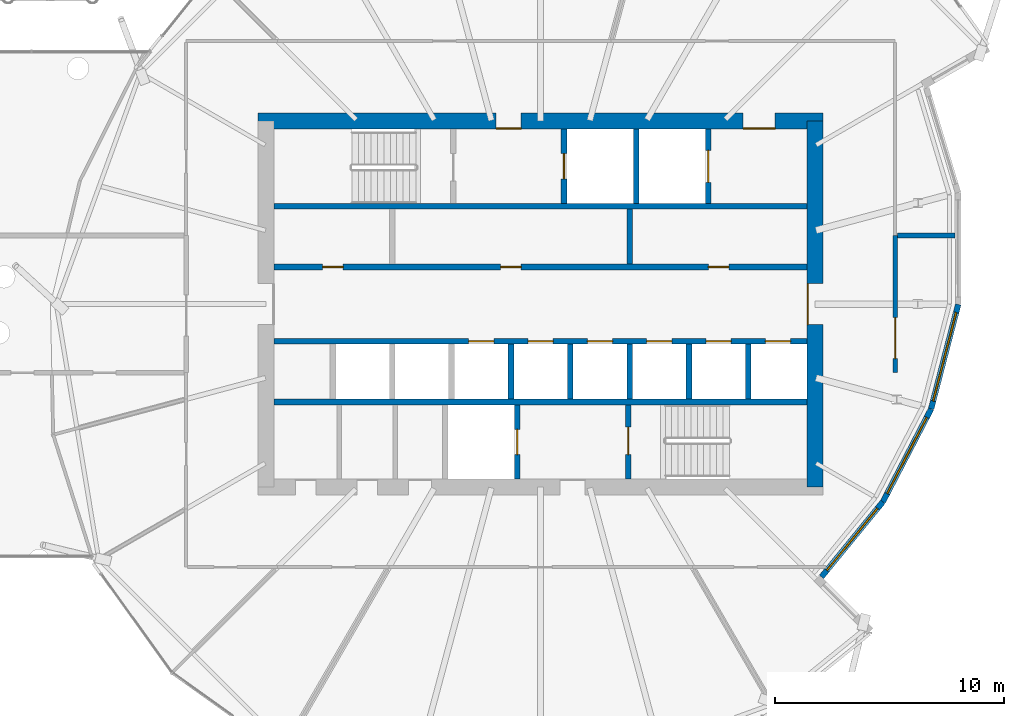
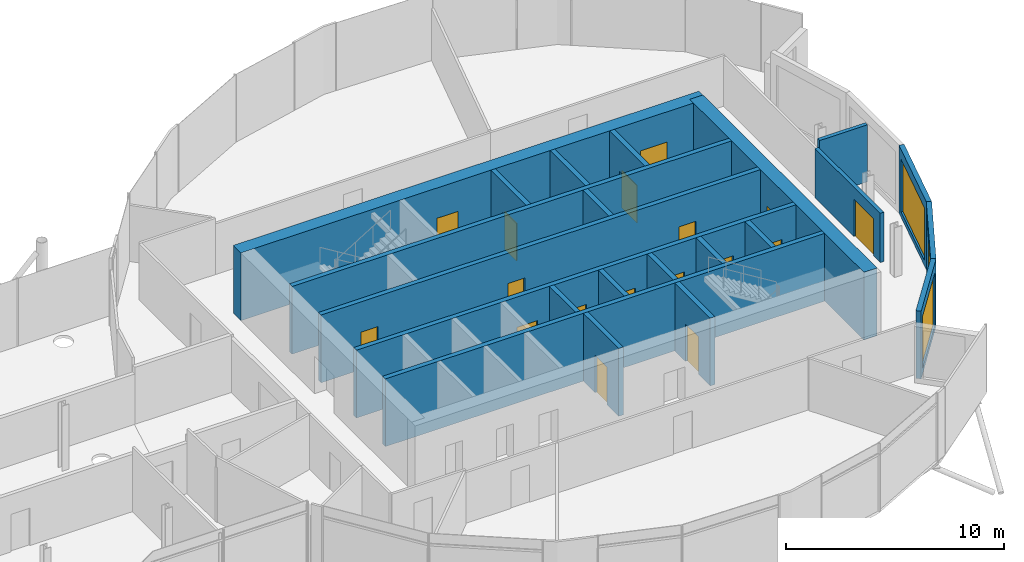
# One storey, part 28 of 39: 22 walls, 17 doors, 3 windows, 20 openings.
"""IFC4 building model written with IfcOpenShell, lengths in metres."""

from ifc_helpers import new_model, si_unit, direction, frame, frame_2d, origin, place, context, subcontext, project, spatial, rectangle, extrude, material, layer, layer_set, type_object, element, fill, save


model = new_model("IFC4")

# Units and contexts
model_context = context("Model", 3, precision=1e-05, world=origin(), true_north=direction((0.0, 1.0)))
body_context = subcontext(model_context, "Body", "Model", "MODEL_VIEW")
ifc_project = project(units=[si_unit("LENGTHUNIT", "METRE"), si_unit("AREAUNIT", "SQUARE_METRE"), si_unit("VOLUMEUNIT", "CUBIC_METRE"), si_unit("PLANEANGLEUNIT", "RADIAN"), si_unit("MASSUNIT", "GRAM", prefix="KILO")], contexts=[model_context])

# Site, building, storey
site_placement = place(None, origin())
site = spatial("IfcSite", under=ifc_project, at=site_placement, CompositionType="ELEMENT")
building_placement = place(site_placement, origin())
building = spatial("IfcBuilding", under=site, at=building_placement, Name="Rimbun Link Towers", CompositionType="ELEMENT")
storey_placement = place(building_placement, frame((0.0, 0.0, 143.0)))
storey = spatial("IfcBuildingStorey", under=building, at=storey_placement, Name="L34", CompositionType="ELEMENT", Elevation=143.0)

# Wall, opening, window
ifc_material_1 = material(Name="Dark enamelled glass spandrel on insulated aluminium backpan", Category="aluminium")
ifc_layer_1 = layer(ifc_material_1, 0.25)
ifc_layer_set_1 = layer_set([ifc_layer_1], Name="CS dark enamelled spandrel wall 250")
wall_type_1 = type_object("IfcWallType", Name="CS dark enamelled spandrel wall 250", PredefinedType="STANDARD", material=ifc_layer_set_1)
wall_1_placement = place(storey_placement, frame((46.711669921875, -8.646728515625, 0.0), z_axis=(0.0, 0.0, 1.0), x_axis=(-0.633071445917, -0.774093369281, 0.0)))
wall_1 = element("IfcWall", 1, at=wall_1_placement, inside=storey, type_object=wall_type_1, Name="Crease spandrel wall", PredefinedType="STANDARD", context=body_context, shape_type="SweptSolid", body=[
    extrude(rectangle(XDim=4.236328125, YDim=0.25, at=frame_2d((2.1181640625, 0.0))), origin(), (0.0, 0.0, 1.0), 3.800048828125),
])
opening_1_placement = place(wall_1_placement, frame((0.3681640625, 0.0, 0.300048828125)))
opening_1 = element("IfcOpeningElement", 2, at=opening_1_placement, cuts=wall_1, Name="Opening WR35H295", PredefinedType="OPENING", context=body_context, shape_type="SweptSolid", body=[
    extrude(rectangle(XDim=3.5, YDim=2.949951171875, at=frame_2d((1.75, 1.47509765625))), frame((0.0, 0.135009765625, 0.0), z_axis=(0.0, -1.0, 0.0), x_axis=(1.0, 0.0, 0.0)), (0.0, 0.0, 1.0), 0.27001953125),
])
ifc_material_2 = material(Name="Aluminium framed fixed window, dark tinted low-e glass", Category="aluminium")
window_type_1 = type_object("IfcWindowType", Name="WR ribbon window 3500X2950", PartitioningType="SINGLE_PANEL", PredefinedType="WINDOW", material=ifc_material_2)
window_1_placement = place(opening_1_placement, origin())
window_1 = element("IfcWindow", 3, at=window_1_placement, inside=storey, type_object=window_type_1, Name="Crease ribbon window", OverallHeight=2.949951171875, OverallWidth=3.5, PartitioningType="SINGLE_PANEL", PredefinedType="WINDOW", context=body_context, shape_type="SweptSolid", body=[
    extrude(rectangle(XDim=3.5, YDim=2.949951171875, at=frame_2d((1.75, 1.47509765625))), frame((0.0, 0.030029296875, 0.0), z_axis=(0.0, -1.0, 0.0), x_axis=(1.0, 0.0, 0.0)), (0.0, 0.0, 1.0), 0.06005859375),
])
fill(opening_1, window_1)

wall_2_placement = place(storey_placement, frame((48.820556640625, -4.587646484375, 0.0), z_axis=(0.0, 0.0, 1.0), x_axis=(-0.46103677095, -0.887381031931, 0.0)))
wall_2 = element("IfcWall", 4, at=wall_2_placement, inside=storey, type_object=wall_type_1, Name="Crease spandrel wall", PredefinedType="STANDARD", context=body_context, shape_type="SweptSolid", body=[
    extrude(rectangle(XDim=4.57421875, YDim=0.25, at=frame_2d((2.287109375, 0.0))), origin(), (0.0, 0.0, 1.0), 3.800048828125),
])
opening_2_placement = place(wall_2_placement, frame((0.412109375, 0.0, 0.300048828125)))
opening_2 = element("IfcOpeningElement", 5, at=opening_2_placement, cuts=wall_2, Name="Opening WR38H295", PredefinedType="OPENING", context=body_context, shape_type="SweptSolid", body=[
    extrude(rectangle(XDim=3.75, YDim=2.949951171875, at=frame_2d((1.875, 1.47509765625))), frame((0.0, 0.135009765625, 0.0), z_axis=(0.0, -1.0, 0.0), x_axis=(1.0, 0.0, 0.0)), (0.0, 0.0, 1.0), 0.27001953125),
])
ifc_material_3 = material(Name="Aluminium framed fixed window, dark tinted low-e glass", Category="aluminium")
window_type_2 = type_object("IfcWindowType", Name="WR ribbon window 3750X2950", PartitioningType="SINGLE_PANEL", PredefinedType="WINDOW", material=ifc_material_3)
window_2_placement = place(opening_2_placement, origin())
window_2 = element("IfcWindow", 6, at=window_2_placement, inside=storey, type_object=window_type_2, Name="Crease ribbon window", OverallHeight=2.949951171875, OverallWidth=3.75, PartitioningType="SINGLE_PANEL", PredefinedType="WINDOW", context=body_context, shape_type="SweptSolid", body=[
    extrude(rectangle(XDim=3.75, YDim=2.949951171875, at=frame_2d((1.875, 1.47509765625))), frame((0.0, 0.030029296875, 0.0), z_axis=(0.0, -1.0, 0.0), x_axis=(1.0, 0.0, 0.0)), (0.0, 0.0, 1.0), 0.06005859375),
])
fill(opening_2, window_2)

wall_3_placement = place(storey_placement, frame((50.00634765625, -0.015869140625, 0.0), z_axis=(0.0, 0.0, 1.0), x_axis=(-0.251064410387, -0.967970382727, 0.0)))
wall_3 = element("IfcWall", 7, at=wall_3_placement, inside=storey, type_object=wall_type_1, Name="Crease spandrel wall", PredefinedType="STANDARD", context=body_context, shape_type="SweptSolid", body=[
    extrude(rectangle(XDim=4.72314453125, YDim=0.25, at=frame_2d((2.361572265625, 0.0))), origin(), (0.0, 0.0, 1.0), 3.800048828125),
])
opening_3_placement = place(wall_3_placement, frame((0.361572265625, 0.0, 0.300048828125)))
opening_3 = element("IfcOpeningElement", 8, at=opening_3_placement, cuts=wall_3, Name="Opening WR40H295", PredefinedType="OPENING", context=body_context, shape_type="SweptSolid", body=[
    extrude(rectangle(XDim=4.0, YDim=2.949951171875, at=frame_2d((2.0, 1.47509765625))), frame((0.0, 0.135009765625, 0.0), z_axis=(0.0, -1.0, 0.0), x_axis=(1.0, 0.0, 0.0)), (0.0, 0.0, 1.0), 0.27001953125),
])
ifc_material_4 = material(Name="Aluminium framed fixed window, dark tinted low-e glass", Category="aluminium")
window_type_3 = type_object("IfcWindowType", Name="WR ribbon window 4000X2950", PartitioningType="SINGLE_PANEL", PredefinedType="WINDOW", material=ifc_material_4)
window_3_placement = place(opening_3_placement, origin())
window_3 = element("IfcWindow", 9, at=window_3_placement, inside=storey, type_object=window_type_3, Name="Crease ribbon window", OverallHeight=2.949951171875, OverallWidth=4.0, PartitioningType="SINGLE_PANEL", PredefinedType="WINDOW", context=body_context, shape_type="SweptSolid", body=[
    extrude(rectangle(XDim=4.0, YDim=2.949951171875, at=frame_2d((2.0, 1.47509765625))), frame((0.0, 0.030029296875, 0.0), z_axis=(0.0, -1.0, 0.0), x_axis=(1.0, 0.0, 0.0)), (0.0, 0.0, 1.0), 0.06005859375),
])
fill(opening_3, window_3)

# Wall, openings, doors
ifc_material_5 = material(Name="Concrete C60/75", Category="concrete")
ifc_layer_2 = layer(ifc_material_5, 0.699951171875)
ifc_layer_set_2 = layer_set([ifc_layer_2], Name="Core shear wall 700")
wall_type_2 = type_object("IfcWallType", Name="Core shear wall 700", PredefinedType="SHEAR", material=ifc_layer_set_2)
wall_4_placement = place(storey_placement, frame((19.39990234375, 8.0, 0.0), z_axis=(0.0, 0.0, 1.0), x_axis=(1.0, 0.0, 0.0)))
wall_4 = element("IfcWall", 10, at=wall_4_placement, inside=storey, type_object=wall_type_2, Name="L34 T2 core wall N", PredefinedType="SHEAR", context=body_context, shape_type="SweptSolid", body=[
    extrude(rectangle(XDim=24.7001953125, YDim=0.699951171875, at=frame_2d((12.35009765625, 0.0))), origin(), (0.0, 0.0, 1.0), 3.800048828125),
])
opening_4_placement = place(wall_4_placement, frame((10.39990234375, 0.0, 0.0)))
opening_4 = element("IfcOpeningElement", 11, at=opening_4_placement, cuts=wall_4, Name="Opening C2DCF01N", PredefinedType="OPENING", context=body_context, shape_type="SweptSolid", body=[
    extrude(rectangle(XDim=1.10009765625, YDim=2.10009765625, at=frame_2d((0.550048828125, 1.050048828125))), frame((0.0, 0.35986328125, 0.0), z_axis=(0.0, -1.0, 0.0), x_axis=(1.0, 0.0, 0.0)), (0.0, 0.0, 1.0), 0.719970703125),
])
opening_5_placement = place(wall_4_placement, frame((21.199951171875, 0.0, 0.0)))
opening_5 = element("IfcOpeningElement", 12, at=opening_5_placement, cuts=wall_4, Name="Opening C2DSL02N", PredefinedType="OPENING", context=body_context, shape_type="SweptSolid", body=[
    extrude(rectangle(XDim=1.39990234375, YDim=2.10009765625, at=frame_2d((0.699951171875, 1.050048828125))), frame((0.0, 0.35986328125, 0.0), z_axis=(0.0, -1.0, 0.0), x_axis=(1.0, 0.0, 0.0)), (0.0, 0.0, 1.0), 0.719970703125),
])
ifc_material_6 = material(Name="Steel fire door set", Category="steel")
door_type_1 = type_object("IfcDoorType", Name="Core fire door single", OperationType="SINGLE_SWING_LEFT", PredefinedType="DOOR", material=ifc_material_6)
door_1_placement = place(opening_4_placement, origin())
door_1 = element("IfcDoor", 13, at=door_1_placement, inside=storey, type_object=door_type_1, Name="L34 T2 firefighting lobby n door", OperationType="SINGLE_SWING_RIGHT", OverallHeight=2.10009765625, OverallWidth=1.10009765625, PredefinedType="DOOR", context=body_context, shape_type="SweptSolid", body=[
    extrude(rectangle(XDim=1.10009765625, YDim=2.10009765625, at=frame_2d((0.550048828125, 1.050048828125))), frame((0.0, -0.2998046875, 0.0), z_axis=(0.0, -1.0, 0.0), x_axis=(1.0, 0.0, 0.0)), (0.0, 0.0, 1.0), 0.050048828125),
])
fill(opening_4, door_1)
ifc_material_7 = material(Name="Steel fire door set", Category="steel")
door_type_2 = type_object("IfcDoorType", Name="Service lobby door double", OperationType="DOUBLE_DOOR_SINGLE_SWING", PredefinedType="DOOR", material=ifc_material_7)
door_2_placement = place(opening_5_placement, origin())
door_2 = element("IfcDoor", 14, at=door_2_placement, inside=storey, type_object=door_type_2, Name="L34 T2 service lobby door", OperationType="DOUBLE_DOOR_SINGLE_SWING", OverallHeight=2.10009765625, OverallWidth=1.39990234375, PredefinedType="DOOR", context=body_context, shape_type="SweptSolid", body=[
    extrude(rectangle(XDim=1.39990234375, YDim=2.10009765625, at=frame_2d((0.699951171875, 1.050048828125))), frame((0.0, -0.2998046875, 0.0), z_axis=(0.0, -1.0, 0.0), x_axis=(1.0, 0.0, 0.0)), (0.0, 0.0, 1.0), 0.050048828125),
])
fill(opening_5, door_2)

# Wall, opening, door
wall_5_placement = place(storey_placement, frame((43.75, -8.0, 0.0), z_axis=(0.0, 0.0, 1.0), x_axis=(0.0, 1.0, 0.0)))
wall_5 = element("IfcWall", 15, at=wall_5_placement, inside=storey, type_object=wall_type_2, Name="L34 T2 core wall E", PredefinedType="SHEAR", context=body_context, shape_type="SweptSolid", body=[
    extrude(rectangle(XDim=16.0, YDim=0.699951171875, at=frame_2d((8.0, 0.0))), origin(), (0.0, 0.0, 1.0), 3.800048828125),
])
opening_6_placement = place(wall_5_placement, frame((7.10009765625, 0.0, 0.0)))
opening_6 = element("IfcOpeningElement", 16, at=opening_6_placement, cuts=wall_5, Name="Opening C2DCL01E", PredefinedType="OPENING", context=body_context, shape_type="SweptSolid", body=[
    extrude(rectangle(XDim=1.800048828125, YDim=2.10009765625, at=frame_2d((0.89990234375, 1.050048828125))), frame((0.0, 0.35986328125, 0.0), z_axis=(0.0, -1.0, 0.0), x_axis=(1.0, 0.0, 0.0)), (0.0, 0.0, 1.0), 0.719970703125),
])
ifc_material_8 = material(Name="Steel fire door set", Category="steel")
door_type_3 = type_object("IfcDoorType", Name="Core lobby door double", OperationType="DOUBLE_DOOR_SINGLE_SWING", PredefinedType="DOOR", material=ifc_material_8)
door_3_placement = place(opening_6_placement, origin())
door_3 = element("IfcDoor", 17, at=door_3_placement, inside=storey, type_object=door_type_3, Name="L34 T2 lift lobby door", OperationType="DOUBLE_DOOR_SINGLE_SWING", OverallHeight=2.10009765625, OverallWidth=1.800048828125, PredefinedType="DOOR", context=body_context, shape_type="SweptSolid", body=[
    extrude(rectangle(XDim=1.800048828125, YDim=2.10009765625, at=frame_2d((0.89990234375, 1.050048828125))), frame((0.0, 0.35009765625, 0.0), z_axis=(0.0, -1.0, 0.0), x_axis=(1.0, 0.0, 0.0)), (0.0, 0.0, 1.0), 0.050048828125),
])
fill(opening_6, door_3)

ifc_material_9 = material(Name="Concrete blockwork", Category="masonry")
ifc_layer_3 = layer(ifc_material_9, 0.199951171875)
ifc_layer_set_3 = layer_set([ifc_layer_3], Name="Fire partition 200 blockwork")
wall_type_3 = type_object("IfcWallType", Name="Fire partition 200 blockwork", PredefinedType="PARTITIONING", material=ifc_layer_set_3)
wall_6_placement = place(storey_placement, frame((47.25, -3.0, 0.0), z_axis=(0.0, 0.0, 1.0), x_axis=(0.0, 1.0, 0.0)))
wall_6 = element("IfcWall", 18, at=wall_6_placement, inside=storey, type_object=wall_type_3, Name="TW/PW/L34/036", PredefinedType="PARTITIONING", context=body_context, shape_type="SweptSolid", body=[
    extrude(rectangle(XDim=6.0, YDim=0.199951171875, at=frame_2d((3.0, 0.0))), origin(), (0.0, 0.0, 1.0), 2.759033203125),
])
opening_7_placement = place(wall_6_placement, frame((0.614990234375, 0.0, 0.0)))
opening_7 = element("IfcOpeningElement", 19, at=opening_7_placement, cuts=wall_6, Name="Opening TW D34.26", PredefinedType="OPENING", context=body_context, shape_type="SweptSolid", body=[
    extrude(rectangle(XDim=1.800048828125, YDim=2.10009765625, at=frame_2d((0.89990234375, 1.050048828125))), frame((0.0, 0.10986328125, 0.0), z_axis=(0.0, -1.0, 0.0), x_axis=(1.0, 0.0, 0.0)), (0.0, 0.0, 1.0), 0.219970703125),
])
ifc_material_10 = material(Name="Steel fire door set", Category="steel")
door_type_4 = type_object("IfcDoorType", Name="Fire door double leaf 1800 x 2100", OperationType="NOTDEFINED", PredefinedType="DOOR", material=ifc_material_10)
door_4_placement = place(opening_7_placement, origin())
door_4 = element("IfcDoor", 20, at=door_4_placement, inside=storey, type_object=door_type_4, Name="TW/DR/L34/026", OperationType="DOUBLE_DOOR_SINGLE_SWING", OverallHeight=2.10009765625, OverallWidth=1.800048828125, PredefinedType="DOOR", context=body_context, shape_type="SweptSolid", body=[
    extrude(rectangle(XDim=1.800048828125, YDim=2.10009765625, at=frame_2d((0.89990234375, 1.050048828125))), frame((0.0, 0.02490234375, 0.0), z_axis=(0.0, -1.0, 0.0), x_axis=(1.0, 0.0, 0.0)), (0.0, 0.0, 1.0), 0.050048828125),
])
fill(opening_7, door_4)

# Walls
wall_7_placement = place(storey_placement, frame((49.87646484375, 3.0, 0.0), z_axis=(0.0, 0.0, 1.0), x_axis=(-1.0, 0.0, 0.0)))
element("IfcWall", 21, at=wall_7_placement, inside=storey, type_object=wall_type_3, Name="TW/PW/L34/050", PredefinedType="PARTITIONING", context=body_context, shape_type="SweptSolid", body=[
    extrude(rectangle(XDim=2.5263671875, YDim=0.199951171875, at=frame_2d((1.26318359375, 0.0))), origin(), (0.0, 0.0, 1.0), 3.194091796875),
])
ifc_material_11 = material(Name="Concrete C60/75", Category="concrete")
ifc_layer_4 = layer(ifc_material_11, 0.25)
ifc_layer_set_4 = layer_set([ifc_layer_4], Name="Shaft wall 250")
wall_type_4 = type_object("IfcWallType", Name="Shaft wall 250", PredefinedType="SHEAR", material=ifc_layer_set_4)
for number, where, z_axis, x_axis, name in (
    (22, (20.10009765625, 4.27490234375, 0.0), (0.0, 0.0, 1.0), (1.0, 0.0, 0.0), "L34 T2 core wall BN"),
    (23, (20.10009765625, -4.27490234375, 0.0), (0.0, 0.0, 1.0), (1.0, 0.0, 0.0), "L34 T2 core wall BS"),
):
    element("IfcWall", number, at=place(storey_placement, frame(where, z_axis=z_axis, x_axis=x_axis)), inside=storey, type_object=wall_type_4, Name=name, PredefinedType="SHEAR", context=body_context, shape_type="SweptSolid", body=[
        extrude(rectangle(XDim=23.2998046875, YDim=0.25, at=frame_2d((11.64990234375, 0.0))), origin(), (0.0, 0.0, 1.0), 3.800048828125),
    ])

# Wall, openings, doors
wall_8_placement = place(storey_placement, frame((20.10009765625, 1.625, 0.0), z_axis=(0.0, 0.0, 1.0), x_axis=(1.0, 0.0, 0.0)))
wall_8 = element("IfcWall", 24, at=wall_8_placement, inside=storey, type_object=wall_type_4, Name="L34 T2 core wall FN", PredefinedType="SHEAR", context=body_context, shape_type="SweptSolid", body=[
    extrude(rectangle(XDim=23.2998046875, YDim=0.25, at=frame_2d((11.64990234375, 0.0))), origin(), (0.0, 0.0, 1.0), 3.800048828125),
])
opening_8_placement = place(wall_8_placement, frame((2.119384765625, 0.0, 0.0)))
opening_8 = element("IfcOpeningElement", 25, at=opening_8_placement, cuts=wall_8, Name="Opening C2DRS01FN", PredefinedType="OPENING", context=body_context, shape_type="SweptSolid", body=[
    extrude(rectangle(XDim=0.89990234375, YDim=2.10009765625, at=frame_2d((0.449951171875, 1.050048828125))), frame((0.0, 0.135009765625, 0.0), z_axis=(0.0, -1.0, 0.0), x_axis=(1.0, 0.0, 0.0)), (0.0, 0.0, 1.0), 0.27001953125),
])
opening_9_placement = place(wall_8_placement, frame((9.90283203125, 0.0, 0.0)))
opening_9 = element("IfcOpeningElement", 26, at=opening_9_placement, cuts=wall_8, Name="Opening C2DRS02FN", PredefinedType="OPENING", context=body_context, shape_type="SweptSolid", body=[
    extrude(rectangle(XDim=0.89990234375, YDim=2.10009765625, at=frame_2d((0.449951171875, 1.050048828125))), frame((0.0, 0.135009765625, 0.0), z_axis=(0.0, -1.0, 0.0), x_axis=(1.0, 0.0, 0.0)), (0.0, 0.0, 1.0), 0.27001953125),
])
opening_10_placement = place(wall_8_placement, frame((18.9833984375, 0.0, 0.0)))
opening_10 = element("IfcOpeningElement", 27, at=opening_10_placement, cuts=wall_8, Name="Opening C2DRS03FN", PredefinedType="OPENING", context=body_context, shape_type="SweptSolid", body=[
    extrude(rectangle(XDim=0.89990234375, YDim=2.10009765625, at=frame_2d((0.449951171875, 1.050048828125))), frame((0.0, 0.135009765625, 0.0), z_axis=(0.0, -1.0, 0.0), x_axis=(1.0, 0.0, 0.0)), (0.0, 0.0, 1.0), 0.27001953125),
])
ifc_material_12 = material(Name="Steel fire door set", Category="steel")
door_type_5 = type_object("IfcDoorType", Name="Core riser door", OperationType="SINGLE_SWING_LEFT", PredefinedType="DOOR", material=ifc_material_12)
door_5_placement = place(opening_8_placement, origin())
door_5 = element("IfcDoor", 28, at=door_5_placement, inside=storey, type_object=door_type_5, Name="L34 T2 print room door", OperationType="SINGLE_SWING_LEFT", OverallHeight=2.10009765625, OverallWidth=0.89990234375, PredefinedType="DOOR", context=body_context, shape_type="SweptSolid", body=[
    extrude(rectangle(XDim=0.89990234375, YDim=2.10009765625, at=frame_2d((0.449951171875, 1.050048828125))), frame((0.0, 0.02490234375, 0.0), z_axis=(0.0, -1.0, 0.0), x_axis=(1.0, 0.0, 0.0)), (0.0, 0.0, 1.0), 0.050048828125),
])
fill(opening_8, door_5)
door_6_placement = place(opening_9_placement, origin())
door_6 = element("IfcDoor", 29, at=door_6_placement, inside=storey, type_object=door_type_5, Name="L34 T2 services room door", OperationType="SINGLE_SWING_LEFT", OverallHeight=2.10009765625, OverallWidth=0.89990234375, PredefinedType="DOOR", context=body_context, shape_type="SweptSolid", body=[
    extrude(rectangle(XDim=0.89990234375, YDim=2.10009765625, at=frame_2d((0.449951171875, 1.050048828125))), frame((0.0, 0.02490234375, 0.0), z_axis=(0.0, -1.0, 0.0), x_axis=(1.0, 0.0, 0.0)), (0.0, 0.0, 1.0), 0.050048828125),
])
fill(opening_9, door_6)
door_7_placement = place(opening_10_placement, origin())
door_7 = element("IfcDoor", 30, at=door_7_placement, inside=storey, type_object=door_type_5, Name="L34 T2 records store door", OperationType="SINGLE_SWING_RIGHT", OverallHeight=2.10009765625, OverallWidth=0.89990234375, PredefinedType="DOOR", context=body_context, shape_type="SweptSolid", body=[
    extrude(rectangle(XDim=0.89990234375, YDim=2.10009765625, at=frame_2d((0.449951171875, 1.050048828125))), frame((0.0, 0.02490234375, 0.0), z_axis=(0.0, -1.0, 0.0), x_axis=(1.0, 0.0, 0.0)), (0.0, 0.0, 1.0), 0.050048828125),
])
fill(opening_10, door_7)

wall_9_placement = place(storey_placement, frame((20.10009765625, -1.625, 0.0), z_axis=(0.0, 0.0, 1.0), x_axis=(1.0, 0.0, 0.0)))
wall_9 = element("IfcWall", 31, at=wall_9_placement, inside=storey, type_object=wall_type_4, Name="L34 T2 core wall FS", PredefinedType="SHEAR", context=body_context, shape_type="SweptSolid", body=[
    extrude(rectangle(XDim=23.2998046875, YDim=0.25, at=frame_2d((11.64990234375, 0.0))), origin(), (0.0, 0.0, 1.0), 3.800048828125),
])
opening_11_placement = place(wall_9_placement, frame((8.505615234375, 0.0, 0.0)))
opening_11 = element("IfcOpeningElement", 32, at=opening_11_placement, cuts=wall_9, Name="Opening LD-T2-HR1", PredefinedType="OPENING", context=body_context, shape_type="SweptSolid", body=[
    extrude(rectangle(XDim=1.10009765625, YDim=2.10009765625, at=frame_2d((0.550048828125, 1.050048828125))), frame((0.0, 0.135009765625, 0.0), z_axis=(0.0, -1.0, 0.0), x_axis=(1.0, 0.0, 0.0)), (0.0, 0.0, 1.0), 0.27001953125),
])
opening_12_placement = place(wall_9_placement, frame((11.10009765625, 0.0, 0.0)))
opening_12 = element("IfcOpeningElement", 33, at=opening_12_placement, cuts=wall_9, Name="Opening LD-T2-HR2", PredefinedType="OPENING", context=body_context, shape_type="SweptSolid", body=[
    extrude(rectangle(XDim=1.10009765625, YDim=2.10009765625, at=frame_2d((0.550048828125, 1.050048828125))), frame((0.0, 0.135009765625, 0.0), z_axis=(0.0, -1.0, 0.0), x_axis=(1.0, 0.0, 0.0)), (0.0, 0.0, 1.0), 0.27001953125),
])
opening_13_placement = place(wall_9_placement, frame((13.6943359375, 0.0, 0.0)))
opening_13 = element("IfcOpeningElement", 34, at=opening_13_placement, cuts=wall_9, Name="Opening LD-T2-HR3", PredefinedType="OPENING", context=body_context, shape_type="SweptSolid", body=[
    extrude(rectangle(XDim=1.10009765625, YDim=2.10009765625, at=frame_2d((0.550048828125, 1.050048828125))), frame((0.0, 0.135009765625, 0.0), z_axis=(0.0, -1.0, 0.0), x_axis=(1.0, 0.0, 0.0)), (0.0, 0.0, 1.0), 0.27001953125),
])
opening_14_placement = place(wall_9_placement, frame((16.288818359375, 0.0, 0.0)))
opening_14 = element("IfcOpeningElement", 35, at=opening_14_placement, cuts=wall_9, Name="Opening LD-T2-HR4", PredefinedType="OPENING", context=body_context, shape_type="SweptSolid", body=[
    extrude(rectangle(XDim=1.10009765625, YDim=2.10009765625, at=frame_2d((0.550048828125, 1.050048828125))), frame((0.0, 0.135009765625, 0.0), z_axis=(0.0, -1.0, 0.0), x_axis=(1.0, 0.0, 0.0)), (0.0, 0.0, 1.0), 0.27001953125),
])
opening_15_placement = place(wall_9_placement, frame((18.88330078125, 0.0, 0.0)))
opening_15 = element("IfcOpeningElement", 36, at=opening_15_placement, cuts=wall_9, Name="Opening LD-T2-HR5", PredefinedType="OPENING", context=body_context, shape_type="SweptSolid", body=[
    extrude(rectangle(XDim=1.10009765625, YDim=2.10009765625, at=frame_2d((0.550048828125, 1.050048828125))), frame((0.0, 0.135009765625, 0.0), z_axis=(0.0, -1.0, 0.0), x_axis=(1.0, 0.0, 0.0)), (0.0, 0.0, 1.0), 0.27001953125),
])
opening_16_placement = place(wall_9_placement, frame((21.477783203125, 0.0, 0.0)))
opening_16 = element("IfcOpeningElement", 37, at=opening_16_placement, cuts=wall_9, Name="Opening LD-T2-HR6", PredefinedType="OPENING", context=body_context, shape_type="SweptSolid", body=[
    extrude(rectangle(XDim=1.10009765625, YDim=2.10009765625, at=frame_2d((0.550048828125, 1.050048828125))), frame((0.0, 0.135009765625, 0.0), z_axis=(0.0, -1.0, 0.0), x_axis=(1.0, 0.0, 0.0)), (0.0, 0.0, 1.0), 0.27001953125),
])
ifc_material_13 = material(Name="Stainless steel grade 316", Category="steel")
door_type_6 = type_object("IfcDoorType", Name="Lift landing door", OperationType="DOUBLE_DOOR_SLIDING", PredefinedType="DOOR", material=ifc_material_13)
door_8_placement = place(opening_11_placement, origin())
door_8 = element("IfcDoor", 38, at=door_8_placement, inside=storey, type_object=door_type_6, Name="L34 T2 lift HR1 landing door", OperationType="DOUBLE_DOOR_SLIDING", OverallHeight=2.10009765625, OverallWidth=1.10009765625, PredefinedType="DOOR", context=body_context, shape_type="SweptSolid", body=[
    extrude(rectangle(XDim=1.10009765625, YDim=2.10009765625, at=frame_2d((0.550048828125, 1.050048828125))), frame((0.0, 0.02490234375, 0.0), z_axis=(0.0, -1.0, 0.0), x_axis=(1.0, 0.0, 0.0)), (0.0, 0.0, 1.0), 0.050048828125),
])
fill(opening_11, door_8)
door_9_placement = place(opening_12_placement, origin())
door_9 = element("IfcDoor", 39, at=door_9_placement, inside=storey, type_object=door_type_6, Name="L34 T2 lift HR2 landing door", OperationType="DOUBLE_DOOR_SLIDING", OverallHeight=2.10009765625, OverallWidth=1.10009765625, PredefinedType="DOOR", context=body_context, shape_type="SweptSolid", body=[
    extrude(rectangle(XDim=1.10009765625, YDim=2.10009765625, at=frame_2d((0.550048828125, 1.050048828125))), frame((0.0, 0.02490234375, 0.0), z_axis=(0.0, -1.0, 0.0), x_axis=(1.0, 0.0, 0.0)), (0.0, 0.0, 1.0), 0.050048828125),
])
fill(opening_12, door_9)
door_10_placement = place(opening_13_placement, origin())
door_10 = element("IfcDoor", 40, at=door_10_placement, inside=storey, type_object=door_type_6, Name="L34 T2 lift HR3 landing door", OperationType="DOUBLE_DOOR_SLIDING", OverallHeight=2.10009765625, OverallWidth=1.10009765625, PredefinedType="DOOR", context=body_context, shape_type="SweptSolid", body=[
    extrude(rectangle(XDim=1.10009765625, YDim=2.10009765625, at=frame_2d((0.550048828125, 1.050048828125))), frame((0.0, 0.02490234375, 0.0), z_axis=(0.0, -1.0, 0.0), x_axis=(1.0, 0.0, 0.0)), (0.0, 0.0, 1.0), 0.050048828125),
])
fill(opening_13, door_10)
door_11_placement = place(opening_14_placement, origin())
door_11 = element("IfcDoor", 41, at=door_11_placement, inside=storey, type_object=door_type_6, Name="L34 T2 lift HR4 landing door", OperationType="DOUBLE_DOOR_SLIDING", OverallHeight=2.10009765625, OverallWidth=1.10009765625, PredefinedType="DOOR", context=body_context, shape_type="SweptSolid", body=[
    extrude(rectangle(XDim=1.10009765625, YDim=2.10009765625, at=frame_2d((0.550048828125, 1.050048828125))), frame((0.0, 0.02490234375, 0.0), z_axis=(0.0, -1.0, 0.0), x_axis=(1.0, 0.0, 0.0)), (0.0, 0.0, 1.0), 0.050048828125),
])
fill(opening_14, door_11)
door_12_placement = place(opening_15_placement, origin())
door_12 = element("IfcDoor", 42, at=door_12_placement, inside=storey, type_object=door_type_6, Name="L34 T2 lift HR5 landing door", OperationType="DOUBLE_DOOR_SLIDING", OverallHeight=2.10009765625, OverallWidth=1.10009765625, PredefinedType="DOOR", context=body_context, shape_type="SweptSolid", body=[
    extrude(rectangle(XDim=1.10009765625, YDim=2.10009765625, at=frame_2d((0.550048828125, 1.050048828125))), frame((0.0, 0.02490234375, 0.0), z_axis=(0.0, -1.0, 0.0), x_axis=(1.0, 0.0, 0.0)), (0.0, 0.0, 1.0), 0.050048828125),
])
fill(opening_15, door_12)
door_13_placement = place(opening_16_placement, origin())
door_13 = element("IfcDoor", 43, at=door_13_placement, inside=storey, type_object=door_type_6, Name="L34 T2 lift HR6 landing door", OperationType="DOUBLE_DOOR_SLIDING", OverallHeight=2.10009765625, OverallWidth=1.10009765625, PredefinedType="DOOR", context=body_context, shape_type="SweptSolid", body=[
    extrude(rectangle(XDim=1.10009765625, YDim=2.10009765625, at=frame_2d((0.550048828125, 1.050048828125))), frame((0.0, 0.02490234375, 0.0), z_axis=(0.0, -1.0, 0.0), x_axis=(1.0, 0.0, 0.0)), (0.0, 0.0, 1.0), 0.050048828125),
])
fill(opening_16, door_13)

# Walls
for number, where, z_axis, x_axis, name in (
    (44, (35.6416015625, 1.75, 0.0), (0.0, 0.0, 1.0), (0.0, 1.0, 0.0), "L34 T2 core wall DN5"),
    (45, (30.452880859375, -4.14990234375, 0.0), (0.0, 0.0, 1.0), (0.0, 1.0, 0.0), "L34 T2 core wall DS3"),
    (46, (33.047119140625, -4.14990234375, 0.0), (0.0, 0.0, 1.0), (0.0, 1.0, 0.0), "L34 T2 core wall DS4"),
    (47, (35.6416015625, -4.14990234375, 0.0), (0.0, 0.0, 1.0), (0.0, 1.0, 0.0), "L34 T2 core wall DS5"),
    (48, (38.236083984375, -4.14990234375, 0.0), (0.0, 0.0, 1.0), (0.0, 1.0, 0.0), "L34 T2 core wall DS6"),
    (49, (40.83056640625, -4.14990234375, 0.0), (0.0, 0.0, 1.0), (0.0, 1.0, 0.0), "L34 T2 core wall DS7"),
):
    element("IfcWall", number, at=place(storey_placement, frame(where, z_axis=z_axis, x_axis=x_axis)), inside=storey, type_object=wall_type_4, Name=name, PredefinedType="SHEAR", context=body_context, shape_type="SweptSolid", body=[
        extrude(rectangle(XDim=2.39990234375, YDim=0.25, at=frame_2d((1.199951171875, 0.0))), origin(), (0.0, 0.0, 1.0), 3.800048828125),
    ])

# Wall, opening, door
wall_10_placement = place(storey_placement, frame((32.77490234375, 4.39990234375, 0.0), z_axis=(0.0, 0.0, 1.0), x_axis=(0.0, 1.0, 0.0)))
wall_10 = element("IfcWall", 50, at=wall_10_placement, inside=storey, type_object=wall_type_4, Name="L34 T2 core wall A2", PredefinedType="SHEAR", context=body_context, shape_type="SweptSolid", body=[
    extrude(rectangle(XDim=3.25, YDim=0.25, at=frame_2d((1.625, 0.0))), origin(), (0.0, 0.0, 1.0), 3.800048828125),
])
opening_17_placement = place(wall_10_placement, frame((1.074951171875, 0.0, 0.0)))
opening_17 = element("IfcOpeningElement", 51, at=opening_17_placement, cuts=wall_10, Name="Opening LD-T2-FF1", PredefinedType="OPENING", context=body_context, shape_type="SweptSolid", body=[
    extrude(rectangle(XDim=1.10009765625, YDim=2.10009765625, at=frame_2d((0.550048828125, 1.050048828125))), frame((0.0, 0.135009765625, 0.0), z_axis=(0.0, -1.0, 0.0), x_axis=(1.0, 0.0, 0.0)), (0.0, 0.0, 1.0), 0.27001953125),
])
door_14_placement = place(opening_17_placement, origin())
door_14 = element("IfcDoor", 52, at=door_14_placement, inside=storey, type_object=door_type_6, Name="L34 T2 lift FF1 landing door", OperationType="DOUBLE_DOOR_SLIDING", OverallHeight=2.10009765625, OverallWidth=1.10009765625, PredefinedType="DOOR", context=body_context, shape_type="SweptSolid", body=[
    extrude(rectangle(XDim=1.10009765625, YDim=2.10009765625, at=frame_2d((0.550048828125, 1.050048828125))), frame((0.0, 0.02490234375, 0.0), z_axis=(0.0, -1.0, 0.0), x_axis=(1.0, 0.0, 0.0)), (0.0, 0.0, 1.0), 0.050048828125),
])
fill(opening_17, door_14)

# Wall
wall_11_placement = place(storey_placement, frame((35.925048828125, 4.39990234375, 0.0), z_axis=(0.0, 0.0, 1.0), x_axis=(0.0, 1.0, 0.0)))
element("IfcWall", 53, at=wall_11_placement, inside=storey, type_object=wall_type_4, Name="L34 T2 core wall A3", PredefinedType="SHEAR", context=body_context, shape_type="SweptSolid", body=[
    extrude(rectangle(XDim=3.25, YDim=0.25, at=frame_2d((1.625, 0.0))), origin(), (0.0, 0.0, 1.0), 3.800048828125),
])

# Wall, opening, door
wall_12_placement = place(storey_placement, frame((39.074951171875, 4.39990234375, 0.0), z_axis=(0.0, 0.0, 1.0), x_axis=(0.0, 1.0, 0.0)))
wall_12 = element("IfcWall", 54, at=wall_12_placement, inside=storey, type_object=wall_type_4, Name="L34 T2 core wall A4", PredefinedType="SHEAR", context=body_context, shape_type="SweptSolid", body=[
    extrude(rectangle(XDim=3.25, YDim=0.25, at=frame_2d((1.625, 0.0))), origin(), (0.0, 0.0, 1.0), 3.800048828125),
])
opening_18_placement = place(wall_12_placement, frame((0.925048828125, 0.0, 0.0)))
opening_18 = element("IfcOpeningElement", 55, at=opening_18_placement, cuts=wall_12, Name="Opening LD-T2-GL1", PredefinedType="OPENING", context=body_context, shape_type="SweptSolid", body=[
    extrude(rectangle(XDim=1.39990234375, YDim=2.10009765625, at=frame_2d((0.699951171875, 1.050048828125))), frame((0.0, 0.135009765625, 0.0), z_axis=(0.0, -1.0, 0.0), x_axis=(1.0, 0.0, 0.0)), (0.0, 0.0, 1.0), 0.27001953125),
])
ifc_material_14 = material(Name="Stainless steel grade 316", Category="steel")
door_type_7 = type_object("IfcDoorType", Name="Goods lift landing door", OperationType="DOUBLE_DOOR_SLIDING", PredefinedType="DOOR", material=ifc_material_14)
door_15_placement = place(opening_18_placement, origin())
door_15 = element("IfcDoor", 56, at=door_15_placement, inside=storey, type_object=door_type_7, Name="L34 T2 lift GL1 landing door", OperationType="DOUBLE_DOOR_SLIDING", OverallHeight=2.10009765625, OverallWidth=1.39990234375, PredefinedType="DOOR", context=body_context, shape_type="SweptSolid", body=[
    extrude(rectangle(XDim=1.39990234375, YDim=2.10009765625, at=frame_2d((0.699951171875, 1.050048828125))), frame((0.0, 0.02490234375, 0.0), z_axis=(0.0, -1.0, 0.0), x_axis=(1.0, 0.0, 0.0)), (0.0, 0.0, 1.0), 0.050048828125),
])
fill(opening_18, door_15)

wall_13_placement = place(storey_placement, frame((35.574951171875, -4.39990234375, 0.0), z_axis=(0.0, 0.0, 1.0), x_axis=(0.0, -1.0, 0.0)))
wall_13 = element("IfcWall", 57, at=wall_13_placement, inside=storey, type_object=wall_type_4, Name="L34 T2 core wall B1", PredefinedType="SHEAR", context=body_context, shape_type="SweptSolid", body=[
    extrude(rectangle(XDim=3.25, YDim=0.25, at=frame_2d((1.625, 0.0))), origin(), (0.0, 0.0, 1.0), 3.800048828125),
])
opening_19_placement = place(wall_13_placement, frame((0.97509765625, 0.0, 0.0)))
opening_19 = element("IfcOpeningElement", 58, at=opening_19_placement, cuts=wall_13, Name="Opening C2DST01B1", PredefinedType="OPENING", context=body_context, shape_type="SweptSolid", body=[
    extrude(rectangle(XDim=1.199951171875, YDim=2.10009765625, at=frame_2d((0.60009765625, 1.050048828125))), frame((0.0, 0.135009765625, 0.0), z_axis=(0.0, -1.0, 0.0), x_axis=(1.0, 0.0, 0.0)), (0.0, 0.0, 1.0), 0.27001953125),
])
ifc_material_15 = material(Name="Steel fire door set", Category="steel")
door_type_8 = type_object("IfcDoorType", Name="Stair door", OperationType="SINGLE_SWING_LEFT", PredefinedType="DOOR", material=ifc_material_15)
door_16_placement = place(opening_19_placement, origin())
door_16 = element("IfcDoor", 59, at=door_16_placement, inside=storey, type_object=door_type_8, Name="L34 T2 stair b door", OperationType="SINGLE_SWING_LEFT", OverallHeight=2.10009765625, OverallWidth=1.199951171875, PredefinedType="DOOR", context=body_context, shape_type="SweptSolid", body=[
    extrude(rectangle(XDim=1.199951171875, YDim=2.10009765625, at=frame_2d((0.60009765625, 1.050048828125))), frame((0.0, 0.02490234375, 0.0), z_axis=(0.0, -1.0, 0.0), x_axis=(1.0, 0.0, 0.0)), (0.0, 0.0, 1.0), 0.050048828125),
])
fill(opening_19, door_16)

wall_14_placement = place(storey_placement, frame((30.72509765625, -4.39990234375, 0.0), z_axis=(0.0, 0.0, 1.0), x_axis=(0.0, -1.0, 0.0)))
wall_14 = element("IfcWall", 60, at=wall_14_placement, inside=storey, type_object=wall_type_4, Name="L34 T2 core wall B2", PredefinedType="SHEAR", context=body_context, shape_type="SweptSolid", body=[
    extrude(rectangle(XDim=3.25, YDim=0.25, at=frame_2d((1.625, 0.0))), origin(), (0.0, 0.0, 1.0), 3.800048828125),
])
opening_20_placement = place(wall_14_placement, frame((1.074951171875, 0.0, 0.0)))
opening_20 = element("IfcOpeningElement", 61, at=opening_20_placement, cuts=wall_14, Name="Opening LD-T2-FF2", PredefinedType="OPENING", context=body_context, shape_type="SweptSolid", body=[
    extrude(rectangle(XDim=1.10009765625, YDim=2.10009765625, at=frame_2d((0.550048828125, 1.050048828125))), frame((0.0, 0.135009765625, 0.0), z_axis=(0.0, -1.0, 0.0), x_axis=(1.0, 0.0, 0.0)), (0.0, 0.0, 1.0), 0.27001953125),
])
door_17_placement = place(opening_20_placement, origin())
door_17 = element("IfcDoor", 62, at=door_17_placement, inside=storey, type_object=door_type_6, Name="L34 T2 lift FF2 landing door", OperationType="DOUBLE_DOOR_SLIDING", OverallHeight=2.10009765625, OverallWidth=1.10009765625, PredefinedType="DOOR", context=body_context, shape_type="SweptSolid", body=[
    extrude(rectangle(XDim=1.10009765625, YDim=2.10009765625, at=frame_2d((0.550048828125, 1.050048828125))), frame((0.0, 0.02490234375, 0.0), z_axis=(0.0, -1.0, 0.0), x_axis=(1.0, 0.0, 0.0)), (0.0, 0.0, 1.0), 0.050048828125),
])
fill(opening_20, door_17)

save(model, "model.ifc")
